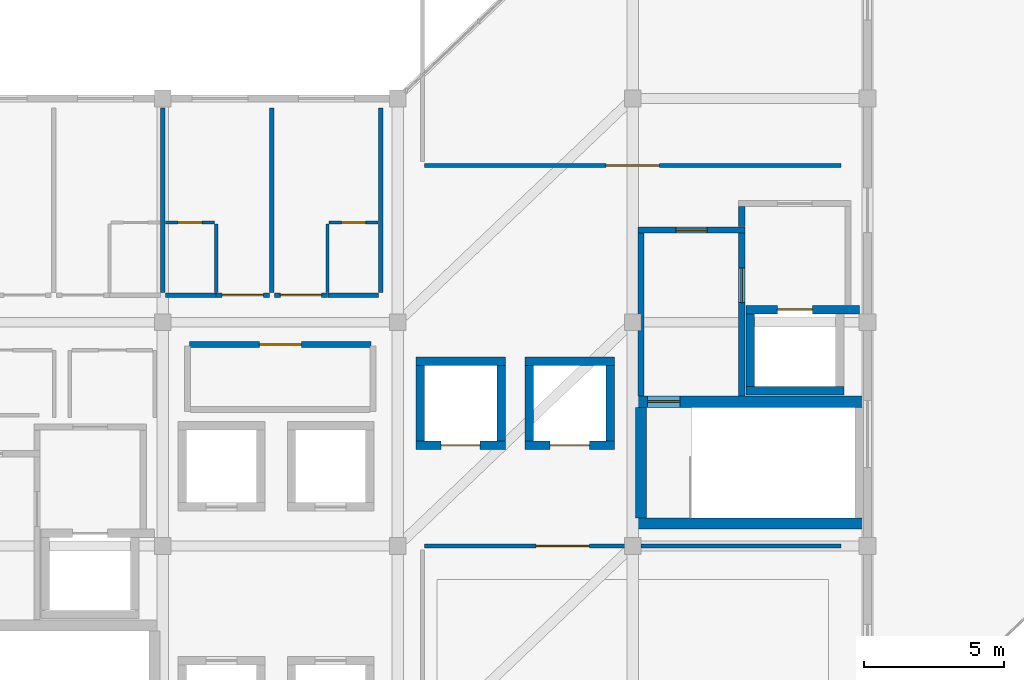
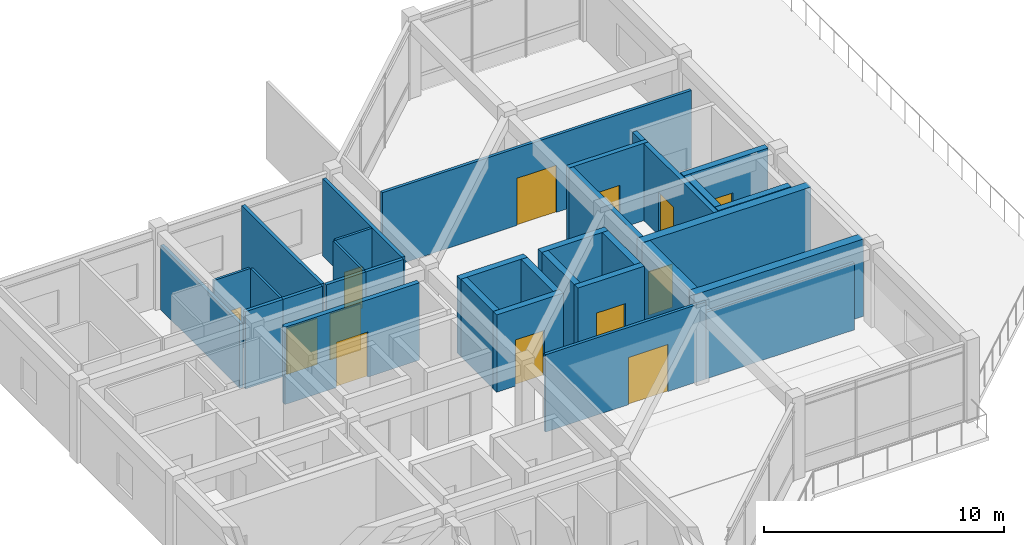
# One storey, part 9 of 11: 33 walls, 13 doors, 13 openings.
"""IFC4 building model written with IfcOpenShell, lengths in metres."""

from ifc_helpers import new_model, si_unit, direction, frame, frame_2d, origin, place, context, subcontext, project, spatial, rectangle, extrude, material, layer, layer_set, type_object, element, fill, save


model = new_model("IFC4")

# Units and contexts
model_context = context("Model", 3, precision=1e-05, world=origin(), true_north=direction((0.0, 1.0)))
body_context = subcontext(model_context, "Body", "Model", "MODEL_VIEW")
ifc_project = project(units=[si_unit("LENGTHUNIT", "METRE"), si_unit("AREAUNIT", "SQUARE_METRE"), si_unit("VOLUMEUNIT", "CUBIC_METRE"), si_unit("PLANEANGLEUNIT", "RADIAN"), si_unit("MASSUNIT", "GRAM", prefix="KILO")], contexts=[model_context])

# Site, building, storey
site_placement = place(None, origin())
site = spatial("IfcSite", under=ifc_project, at=site_placement, CompositionType="ELEMENT")
building_placement = place(site_placement, origin())
building = spatial("IfcBuilding", under=site, at=building_placement, Name="Naruveol Harbour Congress Hotel", CompositionType="ELEMENT")
storey_placement = place(building_placement, frame((0.0, 0.0, 47.39990234375)))
storey = spatial("IfcBuildingStorey", under=building, at=storey_placement, Name="L11", CompositionType="ELEMENT", Elevation=47.39990234375)

# Wall, opening, door
ifc_material_1 = material(Name="Acoustic Double Stud Gypsum", Category="gypsum")
ifc_layer_1 = layer(ifc_material_1, 0.139892578125)
ifc_layer_set_1 = layer_set([ifc_layer_1], Name="Acoustic Double Stud Gypsum")
wall_type_1 = type_object("IfcWallType", Name="ACOUSTIC MEETING PARTITION WALL 140", PredefinedType="PARTITIONING", material=ifc_layer_set_1)
wall_1_placement = place(storey_placement, frame((143.760009765625, 16.0, 0.0), z_axis=(0.0, 0.0, 1.0), x_axis=(1.0, 0.0, 0.0)))
wall_1 = element("IfcWall", 1, at=wall_1_placement, inside=storey, type_object=wall_type_1, Name="Sky Panorama Restaurant north entry wall PW-140", PredefinedType="PARTITIONING", context=body_context, shape_type="SweptSolid", body=[
    extrude(rectangle(XDim=7.736083984375, YDim=0.139892578125, at=frame_2d((3.8681640625, 0.0))), origin(), (0.0, 0.0, 1.0), 3.93505859375),
])
opening_1_placement = place(wall_1_placement, frame((3.989990234375, 0.0, 0.0)))
opening_1 = element("IfcOpeningElement", 2, at=opening_1_placement, cuts=wall_1, Name="Opening ID-LG-139", PredefinedType="OPENING", context=body_context, shape_type="SweptSolid", body=[
    extrude(rectangle(XDim=1.89990234375, YDim=2.39990234375, at=frame_2d((0.949951171875, 1.199951171875))), frame((0.0, 0.079833984375, 0.0), z_axis=(0.0, -1.0, 0.0), x_axis=(1.0, 0.0, 0.0)), (0.0, 0.0, 1.0), 0.159912109375),
])
ifc_material_2 = material(Name="Timber & Steel Acoustic Leaf", Category="steel")
door_type_1 = type_object("IfcDoorType", Name="RESTAURANT AND LOUNGE GLAZED DOOR 1900X2400", OperationType="DOUBLE_DOOR_SINGLE_SWING", PredefinedType="DOOR", material=ifc_material_2)
door_1_placement = place(opening_1_placement, origin())
door_1 = element("IfcDoor", 3, at=door_1_placement, inside=storey, type_object=door_type_1, Name="Sky Panorama Restaurant Entrance Door", OperationType="DOUBLE_DOOR_SINGLE_SWING", OverallHeight=2.39990234375, OverallWidth=1.89990234375, PredefinedType="DOOR", context=body_context, shape_type="SweptSolid", body=[
    extrude(rectangle(XDim=1.89990234375, YDim=2.39990234375, at=frame_2d((0.949951171875, 1.199951171875))), frame((0.0, 0.02490234375, 0.0), z_axis=(0.0, -1.0, 0.0), x_axis=(1.0, 0.0, 0.0)), (0.0, 0.0, 1.0), 0.050048828125),
])
fill(opening_1, door_1)

wall_2_placement = place(storey_placement, frame((143.760009765625, 29.60009765625, 0.0), z_axis=(0.0, 0.0, 1.0), x_axis=(1.0, 0.0, 0.0)))
wall_2 = element("IfcWall", 4, at=wall_2_placement, inside=storey, type_object=wall_type_1, Name="Harbour Sky Cocktail Lounge south entry wall PW-140", PredefinedType="PARTITIONING", context=body_context, shape_type="SweptSolid", body=[
    extrude(rectangle(XDim=14.8798828125, YDim=0.139892578125, at=frame_2d((7.43994140625, 0.0))), origin(), (0.0, 0.0, 1.0), 3.93505859375),
])
opening_2_placement = place(wall_2_placement, frame((6.489990234375, 0.0, 0.0)))
opening_2 = element("IfcOpeningElement", 5, at=opening_2_placement, cuts=wall_2, Name="Opening ID-LG-140", PredefinedType="OPENING", context=body_context, shape_type="SweptSolid", body=[
    extrude(rectangle(XDim=1.89990234375, YDim=2.39990234375, at=frame_2d((0.949951171875, 1.199951171875))), frame((0.0, 0.079833984375, 0.0), z_axis=(0.0, -1.0, 0.0), x_axis=(1.0, 0.0, 0.0)), (0.0, 0.0, 1.0), 0.159912109375),
])
door_2_placement = place(opening_2_placement, origin())
door_2 = element("IfcDoor", 6, at=door_2_placement, inside=storey, type_object=door_type_1, Name="Harbour Sky Cocktail Lounge Entrance Door", OperationType="DOUBLE_DOOR_SINGLE_SWING", OverallHeight=2.39990234375, OverallWidth=1.89990234375, PredefinedType="DOOR", context=body_context, shape_type="SweptSolid", body=[
    extrude(rectangle(XDim=1.89990234375, YDim=2.39990234375, at=frame_2d((0.949951171875, 1.199951171875))), frame((0.0, 0.02490234375, 0.0), z_axis=(0.0, -1.0, 0.0), x_axis=(1.0, 0.0, 0.0)), (0.0, 0.0, 1.0), 0.050048828125),
])
fill(opening_2, door_2)

# Walls
wall_3_placement = place(storey_placement, frame((151.49609375, 16.0, 0.0), z_axis=(0.0, 0.0, 1.0), x_axis=(1.0, 0.0, 0.0)))
element("IfcWall", 7, at=wall_3_placement, inside=storey, type_object=wall_type_1, Name="Sky Panorama Restaurant north entry wall PW-140", PredefinedType="PARTITIONING", context=body_context, shape_type="SweptSolid", body=[
    extrude(rectangle(XDim=7.143798828125, YDim=0.139892578125, at=frame_2d((3.57177734375, 0.0))), origin(), (0.0, 0.0, 1.0), 3.39013671875),
])
ifc_material_3 = material(Name="Moisture-Resistant Gypsum Partition", Category="gypsum")
ifc_layer_2 = layer(ifc_material_3, 0.114990234375)
ifc_layer_set_2 = layer_set([ifc_layer_2], Name="Moisture-Resistant Gypsum Partition")
wall_type_2 = type_object("IfcWallType", Name="BATHROOM MOISTURE PARTITION WALL 115", PredefinedType="PARTITIONING", material=ifc_layer_set_2)
wall_4_placement = place(storey_placement, frame((136.31005859375, 25.06005859375, 0.0), z_axis=(0.0, 0.0, 1.0), x_axis=(0.0, 1.0, 0.0)))
element("IfcWall", 8, at=wall_4_placement, inside=storey, type_object=wall_type_2, Name="Bathroom east wall 1211 PW-115", PredefinedType="PARTITIONING", context=body_context, shape_type="SweptSolid", body=[
    extrude(rectangle(XDim=2.449951171875, YDim=0.114990234375, at=frame_2d((1.22509765625, 0.0))), origin(), (0.0, 0.0, 1.0), 3.93505859375),
])

# Wall, opening, door
wall_5_placement = place(storey_placement, frame((134.5, 27.570068359375, 0.0), z_axis=(0.0, 0.0, 1.0), x_axis=(1.0, 0.0, 0.0)))
wall_5 = element("IfcWall", 9, at=wall_5_placement, inside=storey, type_object=wall_type_2, Name="Bathroom north wall 1211 PW-115", PredefinedType="PARTITIONING", context=body_context, shape_type="SweptSolid", body=[
    extrude(rectangle(XDim=1.75, YDim=0.114990234375, at=frame_2d((0.875, 0.0))), origin(), (0.0, 0.0, 1.0), 3.93505859375),
])
opening_3_placement = place(wall_5_placement, frame((0.445068359375, 0.0, 0.0)))
opening_3 = element("IfcOpeningElement", 10, at=opening_3_placement, cuts=wall_5, Name="Opening BD-RM1211", PredefinedType="OPENING", context=body_context, shape_type="SweptSolid", body=[
    extrude(rectangle(XDim=0.860107421875, YDim=2.1201171875, at=frame_2d((0.43017578125, 1.06005859375))), frame((0.0, 0.0673828125, 0.0), z_axis=(0.0, -1.0, 0.0), x_axis=(1.0, 0.0, 0.0)), (0.0, 0.0, 1.0), 0.135009765625),
])
ifc_material_4 = material(Name="Timber & Steel Acoustic Leaf", Category="steel")
door_type_2 = type_object("IfcDoorType", Name="GUEST BATHROOM DOOR 860X2120", OperationType="NOTDEFINED", PredefinedType="DOOR", material=ifc_material_4)
door_3_placement = place(opening_3_placement, origin())
door_3 = element("IfcDoor", 11, at=door_3_placement, inside=storey, type_object=door_type_2, Name="Bathroom Door 1211", OperationType="SINGLE_SWING_LEFT", OverallHeight=2.1201171875, OverallWidth=0.860107421875, PredefinedType="DOOR", context=body_context, shape_type="SweptSolid", body=[
    extrude(rectangle(XDim=0.860107421875, YDim=2.1201171875, at=frame_2d((0.43017578125, 1.06005859375))), frame((0.0, 0.02490234375, 0.0), z_axis=(0.0, -1.0, 0.0), x_axis=(1.0, 0.0, 0.0)), (0.0, 0.0, 1.0), 0.050048828125),
])
fill(opening_3, door_3)

# Wall
wall_6_placement = place(storey_placement, frame((140.2900390625, 25.06005859375, 0.0), z_axis=(0.0, 0.0, 1.0), x_axis=(0.0, 1.0, 0.0)))
element("IfcWall", 12, at=wall_6_placement, inside=storey, type_object=wall_type_2, Name="Bathroom west wall 1212 PW-115", PredefinedType="PARTITIONING", context=body_context, shape_type="SweptSolid", body=[
    extrude(rectangle(XDim=2.449951171875, YDim=0.114990234375, at=frame_2d((1.22509765625, 0.0))), origin(), (0.0, 0.0, 1.0), 3.93505859375),
])

# Wall, opening, door
wall_7_placement = place(storey_placement, frame((140.35009765625, 27.570068359375, 0.0), z_axis=(0.0, 0.0, 1.0), x_axis=(1.0, 0.0, 0.0)))
wall_7 = element("IfcWall", 13, at=wall_7_placement, inside=storey, type_object=wall_type_2, Name="Bathroom north wall 1212 PW-115", PredefinedType="PARTITIONING", context=body_context, shape_type="SweptSolid", body=[
    extrude(rectangle(XDim=1.75, YDim=0.114990234375, at=frame_2d((0.875, 0.0))), origin(), (0.0, 0.0, 1.0), 3.93505859375),
])
opening_4_placement = place(wall_7_placement, frame((0.445068359375, 0.0, 0.0)))
opening_4 = element("IfcOpeningElement", 14, at=opening_4_placement, cuts=wall_7, Name="Opening BD-RM1212", PredefinedType="OPENING", context=body_context, shape_type="SweptSolid", body=[
    extrude(rectangle(XDim=0.860107421875, YDim=2.1201171875, at=frame_2d((0.43017578125, 1.06005859375))), frame((0.0, 0.0673828125, 0.0), z_axis=(0.0, -1.0, 0.0), x_axis=(1.0, 0.0, 0.0)), (0.0, 0.0, 1.0), 0.135009765625),
])
door_4_placement = place(opening_4_placement, origin())
door_4 = element("IfcDoor", 15, at=door_4_placement, inside=storey, type_object=door_type_2, Name="Bathroom Door 1212", OperationType="SINGLE_SWING_RIGHT", OverallHeight=2.1201171875, OverallWidth=0.860107421875, PredefinedType="DOOR", context=body_context, shape_type="SweptSolid", body=[
    extrude(rectangle(XDim=0.860107421875, YDim=2.1201171875, at=frame_2d((0.43017578125, 1.06005859375))), frame((0.0, 0.02490234375, 0.0), z_axis=(0.0, -1.0, 0.0), x_axis=(1.0, 0.0, 0.0)), (0.0, 0.0, 1.0), 0.050048828125),
])
fill(opening_4, door_4)

# Wall
ifc_material_5 = material(Name="Concrete C40/50", Category="concrete")
ifc_layer_3 = layer(ifc_material_5, 0.219970703125)
ifc_layer_set_3 = layer_set([ifc_layer_3], Name="Concrete C40/50")
wall_type_3 = type_object("IfcWallType", Name="FIRE COMPARTMENT AND LOBBY WALL 220 EI120", PredefinedType="PARTITIONING", material=ifc_layer_set_3)
wall_8_placement = place(storey_placement, frame((151.5, 21.364990234375, 0.0), z_axis=(0.0, 0.0, 1.0), x_axis=(0.0, 1.0, 0.0)))
element("IfcWall", 16, at=wall_8_placement, inside=storey, type_object=wall_type_3, Name="Smoke vestibule ST2 west wall FW-220", PredefinedType="PARTITIONING", context=body_context, shape_type="SweptSolid", body=[
    extrude(rectangle(XDim=5.820068359375, YDim=0.219970703125, at=frame_2d((2.91015625, 0.0))), origin(), (0.0, 0.0, 1.0), 3.93505859375),
])

# Wall, opening, door
wall_9_placement = place(storey_placement, frame((151.389892578125, 27.300048828125, 0.0), z_axis=(0.0, 0.0, 1.0), x_axis=(1.0, 0.0, 0.0)))
wall_9 = element("IfcWall", 17, at=wall_9_placement, inside=storey, type_object=wall_type_3, Name="Smoke vestibule ST2 north wall FW-220", PredefinedType="PARTITIONING", context=body_context, shape_type="SweptSolid", body=[
    extrude(rectangle(XDim=3.820068359375, YDim=0.219970703125, at=frame_2d((1.91015625, 0.0))), origin(), (0.0, 0.0, 1.0), 3.93505859375),
])
opening_5_placement = place(wall_9_placement, frame((1.35009765625, 0.0, 0.0)))
opening_5 = element("IfcOpeningElement", 18, at=opening_5_placement, cuts=wall_9, Name="Opening FD-ST2-V-L11", PredefinedType="OPENING", context=body_context, shape_type="SweptSolid", body=[
    extrude(rectangle(XDim=1.1201171875, YDim=2.199951171875, at=frame_2d((0.56005859375, 1.10009765625))), frame((0.0, 0.119873046875, 0.0), z_axis=(0.0, -1.0, 0.0), x_axis=(1.0, 0.0, 0.0)), (0.0, 0.0, 1.0), 0.239990234375),
])
ifc_material_6 = material(Name="Timber & Steel Acoustic Leaf", Category="steel")
door_type_3 = type_object("IfcDoorType", Name="VESTIBULE SMOKE CONTROL FIRE DOOR 1120X2200", OperationType="NOTDEFINED", PredefinedType="DOOR", material=ifc_material_6)
door_5_placement = place(opening_5_placement, origin())
door_5 = element("IfcDoor", 19, at=door_5_placement, inside=storey, type_object=door_type_3, Name="Smoke Vestibule Entry Door ST2 L11", OperationType="SINGLE_SWING_LEFT", OverallHeight=2.199951171875, OverallWidth=1.1201171875, PredefinedType="DOOR", context=body_context, shape_type="SweptSolid", body=[
    extrude(rectangle(XDim=1.1201171875, YDim=2.199951171875, at=frame_2d((0.56005859375, 1.10009765625))), frame((0.0, 0.02490234375, 0.0), z_axis=(0.0, -1.0, 0.0), x_axis=(1.0, 0.0, 0.0)), (0.0, 0.0, 1.0), 0.050048828125),
])
fill(opening_5, door_5)

wall_10_placement = place(storey_placement, frame((155.10009765625, 21.364990234375, 0.0), z_axis=(0.0, 0.0, 1.0), x_axis=(0.0, 1.0, 0.0)))
wall_10 = element("IfcWall", 20, at=wall_10_placement, inside=storey, type_object=wall_type_3, Name="Smoke vestibule ST2 east wall FW-220", PredefinedType="PARTITIONING", context=body_context, shape_type="SweptSolid", body=[
    extrude(rectangle(XDim=5.820068359375, YDim=0.219970703125, at=frame_2d((2.91015625, 0.0))), origin(), (0.0, 0.0, 1.0), 3.93505859375),
])
opening_6_placement = place(wall_10_placement, frame((3.3349609375, 0.0, 0.0)))
opening_6 = element("IfcOpeningElement", 21, at=opening_6_placement, cuts=wall_10, Name="Opening FD-FFL-ST2-L11", PredefinedType="OPENING", context=body_context, shape_type="SweptSolid", body=[
    extrude(rectangle(XDim=1.239990234375, YDim=2.199951171875, at=frame_2d((0.6201171875, 1.10009765625))), frame((0.0, 0.119873046875, 0.0), z_axis=(0.0, -1.0, 0.0), x_axis=(1.0, 0.0, 0.0)), (0.0, 0.0, 1.0), 0.239990234375),
])
ifc_material_7 = material(Name="Timber & Steel Acoustic Leaf", Category="steel")
door_type_4 = type_object("IfcDoorType", Name="FIREFIGHTING LOBBY FIRE DOOR 1240X2200", OperationType="NOTDEFINED", PredefinedType="DOOR", material=ifc_material_7)
door_6_placement = place(opening_6_placement, origin())
door_6 = element("IfcDoor", 22, at=door_6_placement, inside=storey, type_object=door_type_4, Name="Firefighting Lobby Vestibule Door ST2 L11", OperationType="SINGLE_SWING_RIGHT", OverallHeight=2.199951171875, OverallWidth=1.239990234375, PredefinedType="DOOR", context=body_context, shape_type="SweptSolid", body=[
    extrude(rectangle(XDim=1.239990234375, YDim=2.199951171875, at=frame_2d((0.6201171875, 1.10009765625))), frame((0.0, 0.02490234375, 0.0), z_axis=(0.0, -1.0, 0.0), x_axis=(1.0, 0.0, 0.0)), (0.0, 0.0, 1.0), 0.050048828125),
])
fill(opening_6, door_6)

# Wall
wall_11_placement = place(storey_placement, frame((155.10009765625, 27.4150390625, 0.0), z_axis=(0.0, 0.0, 1.0), x_axis=(0.0, 1.0, 0.0)))
element("IfcWall", 23, at=wall_11_placement, inside=storey, type_object=wall_type_3, Name="Firefighting lift lobby ST2 upper west wall FW-220", PredefinedType="PARTITIONING", context=body_context, shape_type="SweptSolid", body=[
    extrude(rectangle(XDim=0.719970703125, YDim=0.219970703125, at=frame_2d((0.35986328125, 0.0))), origin(), (0.0, 0.0, 1.0), 3.93505859375),
])

# Wall, opening, door
wall_12_placement = place(storey_placement, frame((135.360107421875, 23.199951171875, 0.0), z_axis=(0.0, 0.0, 1.0), x_axis=(1.0, 0.0, 0.0)))
wall_12 = element("IfcWall", 24, at=wall_12_placement, inside=storey, type_object=wall_type_3, Name="Sky Culinary Show Kitchen north entry wall FW-220", PredefinedType="PARTITIONING", context=body_context, shape_type="SweptSolid", body=[
    extrude(rectangle(XDim=6.47998046875, YDim=0.219970703125, at=frame_2d((3.239990234375, 0.0))), origin(), (0.0, 0.0, 1.0), 3.93505859375),
])
opening_7_placement = place(wall_12_placement, frame((2.489990234375, 0.0, 0.0)))
opening_7 = element("IfcOpeningElement", 25, at=opening_7_placement, cuts=wall_12, Name="Opening FD-KT-141", PredefinedType="OPENING", context=body_context, shape_type="SweptSolid", body=[
    extrude(rectangle(XDim=1.5, YDim=2.300048828125, at=frame_2d((0.75, 1.14990234375))), frame((0.0, 0.119873046875, 0.0), z_axis=(0.0, -1.0, 0.0), x_axis=(1.0, 0.0, 0.0)), (0.0, 0.0, 1.0), 0.239990234375),
])
ifc_material_8 = material(Name="Timber & Steel Acoustic Leaf", Category="steel")
door_type_5 = type_object("IfcDoorType", Name="BANQUET KITCHEN SERVICE FIRE DOOR 1500X2300", OperationType="DOUBLE_DOOR_SINGLE_SWING", PredefinedType="DOOR", material=ifc_material_8)
door_7_placement = place(opening_7_placement, origin())
door_7 = element("IfcDoor", 26, at=door_7_placement, inside=storey, type_object=door_type_5, Name="Sky Culinary Show Kitchen Fire Door", OperationType="DOUBLE_DOOR_SINGLE_SWING", OverallHeight=2.300048828125, OverallWidth=1.5, PredefinedType="DOOR", context=body_context, shape_type="SweptSolid", body=[
    extrude(rectangle(XDim=1.5, YDim=2.300048828125, at=frame_2d((0.75, 1.14990234375))), frame((0.0, 0.02490234375, 0.0), z_axis=(0.0, -1.0, 0.0), x_axis=(1.0, 0.0, 0.0)), (0.0, 0.0, 1.0), 0.050048828125),
])
fill(opening_7, door_7)

# Wall
ifc_material_9 = material(Name="Autoclaved Aerated Concrete Block", Category="concrete")
ifc_layer_4 = layer(ifc_material_9, 0.159912109375)
ifc_layer_set_4 = layer_set([ifc_layer_4], Name="Autoclaved Aerated Concrete Block")
wall_type_4 = type_object("IfcWallType", Name="HOTEL PARTY AND CORRIDOR WALL 160 EI60", PredefinedType="PARTITIONING", material=ifc_layer_set_4)
wall_13_placement = place(storey_placement, frame((134.489990234375, 24.969970703125, 0.0), z_axis=(0.0, 0.0, 1.0), x_axis=(1.0, 0.0, 0.0)))
element("IfcWall", 27, at=wall_13_placement, inside=storey, type_object=wall_type_4, Name="Corridor wall 1211B PW-160", PredefinedType="PARTITIONING", context=body_context, shape_type="SweptSolid", body=[
    extrude(rectangle(XDim=1.81005859375, YDim=0.159912109375, at=frame_2d((0.905029296875, 0.0))), origin(), (0.0, 0.0, 1.0), 3.93505859375),
])

# Wall, opening, door
wall_14_placement = place(storey_placement, frame((136.31005859375, 24.969970703125, 0.0), z_axis=(0.0, 0.0, 1.0), x_axis=(1.0, 0.0, 0.0)))
wall_14 = element("IfcWall", 28, at=wall_14_placement, inside=storey, type_object=wall_type_4, Name="Corridor entry wall 1211 PW-160", PredefinedType="PARTITIONING", context=body_context, shape_type="SweptSolid", body=[
    extrude(rectangle(XDim=1.89990234375, YDim=0.159912109375, at=frame_2d((0.949951171875, 0.0))), origin(), (0.0, 0.0, 1.0), 3.93505859375),
])
opening_8_placement = place(wall_14_placement, frame((0.2099609375, 0.0, 0.0)))
opening_8 = element("IfcOpeningElement", 29, at=opening_8_placement, cuts=wall_14, Name="Opening FD-RM1211", PredefinedType="OPENING", context=body_context, shape_type="SweptSolid", body=[
    extrude(rectangle(XDim=1.47998046875, YDim=2.35009765625, at=frame_2d((0.739990234375, 1.175048828125))), frame((0.0, 0.08984375, 0.0), z_axis=(0.0, -1.0, 0.0), x_axis=(1.0, 0.0, 0.0)), (0.0, 0.0, 1.0), 0.179931640625),
])
ifc_material_10 = material(Name="Timber & Steel Acoustic Leaf", Category="steel")
door_type_6 = type_object("IfcDoorType", Name="PRESIDENTIAL SUITE DOUBLE FIRE DOOR 1480X2350", OperationType="DOUBLE_DOOR_SINGLE_SWING", PredefinedType="DOOR", material=ifc_material_10)
door_8_placement = place(opening_8_placement, origin())
door_8 = element("IfcDoor", 30, at=door_8_placement, inside=storey, type_object=door_type_6, Name="Hotel Room Door 1211", OperationType="DOUBLE_DOOR_SINGLE_SWING", OverallHeight=2.35009765625, OverallWidth=1.47998046875, PredefinedType="DOOR", context=body_context, shape_type="SweptSolid", body=[
    extrude(rectangle(XDim=1.47998046875, YDim=2.35009765625, at=frame_2d((0.739990234375, 1.175048828125))), frame((0.0, 0.02490234375, 0.0), z_axis=(0.0, -1.0, 0.0), x_axis=(1.0, 0.0, 0.0)), (0.0, 0.0, 1.0), 0.050048828125),
])
fill(opening_8, door_8)

# Wall
wall_15_placement = place(storey_placement, frame((134.39990234375, 25.06005859375, 0.0), z_axis=(0.0, 0.0, 1.0), x_axis=(0.0, 1.0, 0.0)))
element("IfcWall", 31, at=wall_15_placement, inside=storey, type_object=wall_type_4, Name="Hotel party wall 1211 PW-160", PredefinedType="PARTITIONING", context=body_context, shape_type="SweptSolid", body=[
    extrude(rectangle(XDim=6.599853515625, YDim=0.159912109375, at=frame_2d((3.2998046875, 0.0))), origin(), (0.0, 0.0, 1.0), 3.2900390625),
])

# Wall, opening, door
wall_16_placement = place(storey_placement, frame((138.389892578125, 24.969970703125, 0.0), z_axis=(0.0, 0.0, 1.0), x_axis=(1.0, 0.0, 0.0)))
wall_16 = element("IfcWall", 32, at=wall_16_placement, inside=storey, type_object=wall_type_4, Name="Corridor entry wall 1212 PW-160", PredefinedType="PARTITIONING", context=body_context, shape_type="SweptSolid", body=[
    extrude(rectangle(XDim=1.900146484375, YDim=0.159912109375, at=frame_2d((0.9501953125, 0.0))), origin(), (0.0, 0.0, 1.0), 3.93505859375),
])
opening_9_placement = place(wall_16_placement, frame((0.2099609375, 0.0, 0.0)))
opening_9 = element("IfcOpeningElement", 33, at=opening_9_placement, cuts=wall_16, Name="Opening FD-RM1212", PredefinedType="OPENING", context=body_context, shape_type="SweptSolid", body=[
    extrude(rectangle(XDim=1.47998046875, YDim=2.35009765625, at=frame_2d((0.739990234375, 1.175048828125))), frame((0.0, 0.08984375, 0.0), z_axis=(0.0, -1.0, 0.0), x_axis=(1.0, 0.0, 0.0)), (0.0, 0.0, 1.0), 0.179931640625),
])
door_9_placement = place(opening_9_placement, origin())
door_9 = element("IfcDoor", 34, at=door_9_placement, inside=storey, type_object=door_type_6, Name="Hotel Room Door 1212", OperationType="DOUBLE_DOOR_SINGLE_SWING", OverallHeight=2.35009765625, OverallWidth=1.47998046875, PredefinedType="DOOR", context=body_context, shape_type="SweptSolid", body=[
    extrude(rectangle(XDim=1.47998046875, YDim=2.35009765625, at=frame_2d((0.739990234375, 1.175048828125))), frame((0.0, 0.02490234375, 0.0), z_axis=(0.0, -1.0, 0.0), x_axis=(1.0, 0.0, 0.0)), (0.0, 0.0, 1.0), 0.050048828125),
])
fill(opening_9, door_9)

# Walls
wall_17_placement = place(storey_placement, frame((140.300048828125, 24.969970703125, 0.0), z_axis=(0.0, 0.0, 1.0), x_axis=(1.0, 0.0, 0.0)))
element("IfcWall", 35, at=wall_17_placement, inside=storey, type_object=wall_type_4, Name="Corridor wall 1212B PW-160", PredefinedType="PARTITIONING", context=body_context, shape_type="SweptSolid", body=[
    extrude(rectangle(XDim=1.81005859375, YDim=0.159912109375, at=frame_2d((0.905029296875, 0.0))), origin(), (0.0, 0.0, 1.0), 3.93505859375),
])
for number, where, z_axis, x_axis, name in (
    (36, (138.300048828125, 25.06005859375, 0.0), (0.0, 0.0, 1.0), (0.0, 1.0, 0.0), "Hotel party wall 1212 PW-160"),
    (37, (142.199951171875, 25.06005859375, 0.0), (0.0, 0.0, 1.0), (0.0, 1.0, 0.0), "Hotel end party wall 1212 PW-160"),
):
    element("IfcWall", number, at=place(storey_placement, frame(where, z_axis=z_axis, x_axis=x_axis)), inside=storey, type_object=wall_type_4, Name=name, PredefinedType="PARTITIONING", context=body_context, shape_type="SweptSolid", body=[
        extrude(rectangle(XDim=6.599853515625, YDim=0.159912109375, at=frame_2d((3.2998046875, 0.0))), origin(), (0.0, 0.0, 1.0), 3.93505859375),
    ])
ifc_material_11 = material(Name="Concrete C50/60", Category="concrete")
ifc_layer_5 = layer(ifc_material_11, 0.39990234375)
ifc_layer_set_5 = layer_set([ifc_layer_5], Name="Concrete C50/60")
wall_type_5 = type_object("IfcWallType", Name="RC CORE SHEAR WALL 400 EI120", PredefinedType="SHEAR", material=ifc_layer_set_5)
wall_18_placement = place(storey_placement, frame((151.300048828125, 16.800048828125, 0.0), z_axis=(0.0, 0.0, 1.0), x_axis=(1.0, 0.0, 0.0)))
element("IfcWall", 38, at=wall_18_placement, inside=storey, type_object=wall_type_5, Name="Stair ST2 south core wall CW-400", PredefinedType="SHEAR", context=body_context, shape_type="SweptSolid", body=[
    extrude(rectangle(XDim=8.14990234375, YDim=0.39990234375, at=frame_2d((4.074951171875, 0.0))), origin(), (0.0, 0.0, 1.0), 3.93505859375),
])

# Wall, opening, door
wall_19_placement = place(storey_placement, frame((151.300048828125, 21.159912109375, 0.0), z_axis=(0.0, 0.0, 1.0), x_axis=(1.0, 0.0, 0.0)))
wall_19 = element("IfcWall", 39, at=wall_19_placement, inside=storey, type_object=wall_type_5, Name="Stair ST2 north core wall CW-400", PredefinedType="SHEAR", context=body_context, shape_type="SweptSolid", body=[
    extrude(rectangle(XDim=8.14990234375, YDim=0.39990234375, at=frame_2d((4.074951171875, 0.0))), origin(), (0.0, 0.0, 1.0), 3.93505859375),
])
opening_10_placement = place(wall_19_placement, frame((0.429931640625, 0.0, 0.0)))
opening_10 = element("IfcOpeningElement", 40, at=opening_10_placement, cuts=wall_19, Name="Opening FD-ST2-S-L11", PredefinedType="OPENING", context=body_context, shape_type="SweptSolid", body=[
    extrude(rectangle(XDim=1.159912109375, YDim=2.199951171875, at=frame_2d((0.580078125, 1.10009765625))), frame((0.0, 0.2099609375, 0.0), z_axis=(0.0, -1.0, 0.0), x_axis=(1.0, 0.0, 0.0)), (0.0, 0.0, 1.0), 0.419921875),
])
ifc_material_12 = material(Name="Timber & Steel Acoustic Leaf", Category="steel")
door_type_7 = type_object("IfcDoorType", Name="SPECIAL ESCAPE STAIR FIRE DOOR 1160X2200", OperationType="NOTDEFINED", PredefinedType="DOOR", material=ifc_material_12)
door_10_placement = place(opening_10_placement, origin())
door_10 = element("IfcDoor", 41, at=door_10_placement, inside=storey, type_object=door_type_7, Name="Special Escape Stair Door ST2 L11", OperationType="SINGLE_SWING_RIGHT", OverallHeight=2.199951171875, OverallWidth=1.159912109375, PredefinedType="DOOR", context=body_context, shape_type="SweptSolid", body=[
    extrude(rectangle(XDim=1.159912109375, YDim=2.199951171875, at=frame_2d((0.580078125, 1.10009765625))), frame((0.0, 0.02490234375, 0.0), z_axis=(0.0, -1.0, 0.0), x_axis=(1.0, 0.0, 0.0)), (0.0, 0.0, 1.0), 0.050048828125),
])
fill(opening_10, door_10)

# Walls
wall_20_placement = place(storey_placement, frame((151.5, 17.0048828125, 0.0), z_axis=(0.0, 0.0, 1.0), x_axis=(0.0, 1.0, 0.0)))
element("IfcWall", 42, at=wall_20_placement, inside=storey, type_object=wall_type_5, Name="Stair ST2 west core wall CW-400", PredefinedType="SHEAR", context=body_context, shape_type="SweptSolid", body=[
    extrude(rectangle(XDim=3.9501953125, YDim=0.39990234375, at=frame_2d((1.97509765625, 0.0))), origin(), (0.0, 0.0, 1.0), 3.93505859375),
])
ifc_material_13 = material(Name="Concrete C50/60", Category="concrete")
ifc_layer_6 = layer(ifc_material_13, 0.300048828125)
ifc_layer_set_6 = layer_set([ifc_layer_6], Name="Concrete C50/60")
wall_type_6 = type_object("IfcWallType", Name="RC STAIR AND HOISTWAY SHEAR WALL 300 EI120", PredefinedType="SHEAR", material=ifc_layer_set_6)
wall_21_placement = place(storey_placement, frame((155.25, 21.550048828125, 0.0), z_axis=(0.0, 0.0, 1.0), x_axis=(1.0, 0.0, 0.0)))
element("IfcWall", 43, at=wall_21_placement, inside=storey, type_object=wall_type_6, Name="Hoistway south shear wall FL2 SW-300", PredefinedType="SHEAR", context=body_context, shape_type="SweptSolid", body=[
    extrude(rectangle(XDim=3.5, YDim=0.300048828125, at=frame_2d((1.75, 0.0))), origin(), (0.0, 0.0, 1.0), 3.93505859375),
])

# Wall, opening, door
wall_22_placement = place(storey_placement, frame((159.31005859375, 24.449951171875, 0.0), z_axis=(0.0, 0.0, 1.0), x_axis=(-1.0, 0.0, 0.0)))
wall_22 = element("IfcWall", 44, at=wall_22_placement, inside=storey, type_object=wall_type_6, Name="Hoistway north shear wall FL2 SW-300", PredefinedType="SHEAR", context=body_context, shape_type="SweptSolid", body=[
    extrude(rectangle(XDim=4.06005859375, YDim=0.300048828125, at=frame_2d((2.030029296875, 0.0))), origin(), (0.0, 0.0, 1.0), 3.93505859375),
])
opening_11_placement = place(wall_22_placement, frame((1.68505859375, 0.0, 0.0)))
opening_11 = element("IfcOpeningElement", 45, at=opening_11_placement, cuts=wall_22, Name="Opening LD-FL2-L11", PredefinedType="OPENING", context=body_context, shape_type="SweptSolid", body=[
    extrude(rectangle(XDim=1.25, YDim=2.25, at=frame_2d((0.625, 1.125))), frame((0.0, 0.159912109375, 0.0), z_axis=(0.0, -1.0, 0.0), x_axis=(1.0, 0.0, 0.0)), (0.0, 0.0, 1.0), 0.320068359375),
])
ifc_material_14 = material(Name="Stainless Steel Lift Door", Category="steel")
door_type_8 = type_object("IfcDoorType", Name="FIREFIGHTING LIFT LANDING DOOR 1250X2250", OperationType="DOUBLE_DOOR_SLIDING", PredefinedType="DOOR", material=ifc_material_14)
door_11_placement = place(opening_11_placement, origin())
door_11 = element("IfcDoor", 46, at=door_11_placement, inside=storey, type_object=door_type_8, Name="Elevator Landing Door FL2 L11", OperationType="DOUBLE_DOOR_SLIDING", OverallHeight=2.25, OverallWidth=1.25, PredefinedType="DOOR", context=body_context, shape_type="SweptSolid", body=[
    extrude(rectangle(XDim=1.25, YDim=2.25, at=frame_2d((0.625, 1.125))), frame((0.0, 0.02490234375, 0.0), z_axis=(0.0, -1.0, 0.0), x_axis=(1.0, 0.0, 0.0)), (0.0, 0.0, 1.0), 0.050048828125),
])
fill(opening_11, door_11)

# Wall
wall_23_placement = place(storey_placement, frame((155.39990234375, 24.294921875, 0.0), z_axis=(0.0, 0.0, 1.0), x_axis=(0.0, -1.0, 0.0)))
element("IfcWall", 47, at=wall_23_placement, inside=storey, type_object=wall_type_6, Name="Hoistway west shear wall FL2 SW-300", PredefinedType="SHEAR", context=body_context, shape_type="SweptSolid", body=[
    extrude(rectangle(XDim=2.58984375, YDim=0.300048828125, at=frame_2d((1.294921875, 0.0))), origin(), (0.0, 0.0, 1.0), 3.93505859375),
])

# Wall, opening, door
wall_24_placement = place(storey_placement, frame((143.449951171875, 19.60009765625, 0.0), z_axis=(0.0, 0.0, 1.0), x_axis=(1.0, 0.0, 0.0)))
wall_24 = element("IfcWall", 48, at=wall_24_placement, inside=storey, type_object=wall_type_6, Name="Hoistway south shear wall GL1 SW-300", PredefinedType="SHEAR", context=body_context, shape_type="SweptSolid", body=[
    extrude(rectangle(XDim=3.199951171875, YDim=0.300048828125, at=frame_2d((1.60009765625, 0.0))), origin(), (0.0, 0.0, 1.0), 3.93505859375),
])
opening_12_placement = place(wall_24_placement, frame((0.89990234375, 0.0, 0.0)))
opening_12 = element("IfcOpeningElement", 49, at=opening_12_placement, cuts=wall_24, Name="Opening LD-GL1-L11", PredefinedType="OPENING", context=body_context, shape_type="SweptSolid", body=[
    extrude(rectangle(XDim=1.39990234375, YDim=2.35009765625, at=frame_2d((0.699951171875, 1.175048828125))), frame((0.0, 0.159912109375, 0.0), z_axis=(0.0, -1.0, 0.0), x_axis=(1.0, 0.0, 0.0)), (0.0, 0.0, 1.0), 0.320068359375),
])
ifc_material_15 = material(Name="Stainless Steel Lift Door", Category="steel")
door_type_9 = type_object("IfcDoorType", Name="GOODS LIFT LANDING DOOR 1400X2350", OperationType="DOUBLE_DOOR_SLIDING", PredefinedType="DOOR", material=ifc_material_15)
door_12_placement = place(opening_12_placement, origin())
door_12 = element("IfcDoor", 50, at=door_12_placement, inside=storey, type_object=door_type_9, Name="Elevator Landing Door GL1 L11", OperationType="DOUBLE_DOOR_SLIDING", OverallHeight=2.35009765625, OverallWidth=1.39990234375, PredefinedType="DOOR", context=body_context, shape_type="SweptSolid", body=[
    extrude(rectangle(XDim=1.39990234375, YDim=2.35009765625, at=frame_2d((0.699951171875, 1.175048828125))), frame((0.0, 0.02490234375, 0.0), z_axis=(0.0, -1.0, 0.0), x_axis=(1.0, 0.0, 0.0)), (0.0, 0.0, 1.0), 0.050048828125),
])
fill(opening_12, door_12)

# Walls
wall_25_placement = place(storey_placement, frame((146.5, 19.7548828125, 0.0), z_axis=(0.0, 0.0, 1.0), x_axis=(0.0, 1.0, 0.0)))
element("IfcWall", 51, at=wall_25_placement, inside=storey, type_object=wall_type_6, Name="Hoistway east shear wall GL1 SW-300", PredefinedType="SHEAR", context=body_context, shape_type="SweptSolid", body=[
    extrude(rectangle(XDim=2.690185546875, YDim=0.300048828125, at=frame_2d((1.34521484375, 0.0))), origin(), (0.0, 0.0, 1.0), 3.93505859375),
])
wall_26_placement = place(storey_placement, frame((146.64990234375, 22.60009765625, 0.0), z_axis=(0.0, 0.0, 1.0), x_axis=(-1.0, 0.0, 0.0)))
element("IfcWall", 52, at=wall_26_placement, inside=storey, type_object=wall_type_6, Name="Hoistway north shear wall GL1 SW-300", PredefinedType="SHEAR", context=body_context, shape_type="SweptSolid", body=[
    extrude(rectangle(XDim=3.199951171875, YDim=0.300048828125, at=frame_2d((1.60009765625, 0.0))), origin(), (0.0, 0.0, 1.0), 3.93505859375),
])
wall_27_placement = place(storey_placement, frame((143.60009765625, 22.445068359375, 0.0), z_axis=(0.0, 0.0, 1.0), x_axis=(0.0, -1.0, 0.0)))
element("IfcWall", 53, at=wall_27_placement, inside=storey, type_object=wall_type_6, Name="Hoistway west shear wall GL1 SW-300", PredefinedType="SHEAR", context=body_context, shape_type="SweptSolid", body=[
    extrude(rectangle(XDim=2.690185546875, YDim=0.300048828125, at=frame_2d((1.34521484375, 0.0))), origin(), (0.0, 0.0, 1.0), 3.93505859375),
])

# Wall, opening, door
wall_28_placement = place(storey_placement, frame((147.35009765625, 19.60009765625, 0.0), z_axis=(0.0, 0.0, 1.0), x_axis=(1.0, 0.0, 0.0)))
wall_28 = element("IfcWall", 54, at=wall_28_placement, inside=storey, type_object=wall_type_6, Name="Hoistway south shear wall GL2 SW-300", PredefinedType="SHEAR", context=body_context, shape_type="SweptSolid", body=[
    extrude(rectangle(XDim=3.199951171875, YDim=0.300048828125, at=frame_2d((1.60009765625, 0.0))), origin(), (0.0, 0.0, 1.0), 3.93505859375),
])
opening_13_placement = place(wall_28_placement, frame((0.89990234375, 0.0, 0.0)))
opening_13 = element("IfcOpeningElement", 55, at=opening_13_placement, cuts=wall_28, Name="Opening LD-GL2-L11", PredefinedType="OPENING", context=body_context, shape_type="SweptSolid", body=[
    extrude(rectangle(XDim=1.39990234375, YDim=2.35009765625, at=frame_2d((0.699951171875, 1.175048828125))), frame((0.0, 0.159912109375, 0.0), z_axis=(0.0, -1.0, 0.0), x_axis=(1.0, 0.0, 0.0)), (0.0, 0.0, 1.0), 0.320068359375),
])
door_13_placement = place(opening_13_placement, origin())
door_13 = element("IfcDoor", 56, at=door_13_placement, inside=storey, type_object=door_type_9, Name="Elevator Landing Door GL2 L11", OperationType="DOUBLE_DOOR_SLIDING", OverallHeight=2.35009765625, OverallWidth=1.39990234375, PredefinedType="DOOR", context=body_context, shape_type="SweptSolid", body=[
    extrude(rectangle(XDim=1.39990234375, YDim=2.35009765625, at=frame_2d((0.699951171875, 1.175048828125))), frame((0.0, 0.02490234375, 0.0), z_axis=(0.0, -1.0, 0.0), x_axis=(1.0, 0.0, 0.0)), (0.0, 0.0, 1.0), 0.050048828125),
])
fill(opening_13, door_13)

# Walls
wall_29_placement = place(storey_placement, frame((150.39990234375, 19.7548828125, 0.0), z_axis=(0.0, 0.0, 1.0), x_axis=(0.0, 1.0, 0.0)))
element("IfcWall", 57, at=wall_29_placement, inside=storey, type_object=wall_type_6, Name="Hoistway east shear wall GL2 SW-300", PredefinedType="SHEAR", context=body_context, shape_type="SweptSolid", body=[
    extrude(rectangle(XDim=2.690185546875, YDim=0.300048828125, at=frame_2d((1.34521484375, 0.0))), origin(), (0.0, 0.0, 1.0), 3.93505859375),
])
wall_30_placement = place(storey_placement, frame((150.550048828125, 22.60009765625, 0.0), z_axis=(0.0, 0.0, 1.0), x_axis=(-1.0, 0.0, 0.0)))
element("IfcWall", 58, at=wall_30_placement, inside=storey, type_object=wall_type_6, Name="Hoistway north shear wall GL2 SW-300", PredefinedType="SHEAR", context=body_context, shape_type="SweptSolid", body=[
    extrude(rectangle(XDim=3.199951171875, YDim=0.300048828125, at=frame_2d((1.60009765625, 0.0))), origin(), (0.0, 0.0, 1.0), 3.93505859375),
])
wall_31_placement = place(storey_placement, frame((147.5, 22.445068359375, 0.0), z_axis=(0.0, 0.0, 1.0), x_axis=(0.0, -1.0, 0.0)))
element("IfcWall", 59, at=wall_31_placement, inside=storey, type_object=wall_type_6, Name="Hoistway west shear wall GL2 SW-300", PredefinedType="SHEAR", context=body_context, shape_type="SweptSolid", body=[
    extrude(rectangle(XDim=2.690185546875, YDim=0.300048828125, at=frame_2d((1.34521484375, 0.0))), origin(), (0.0, 0.0, 1.0), 3.93505859375),
])

save(model, "model.ifc")
